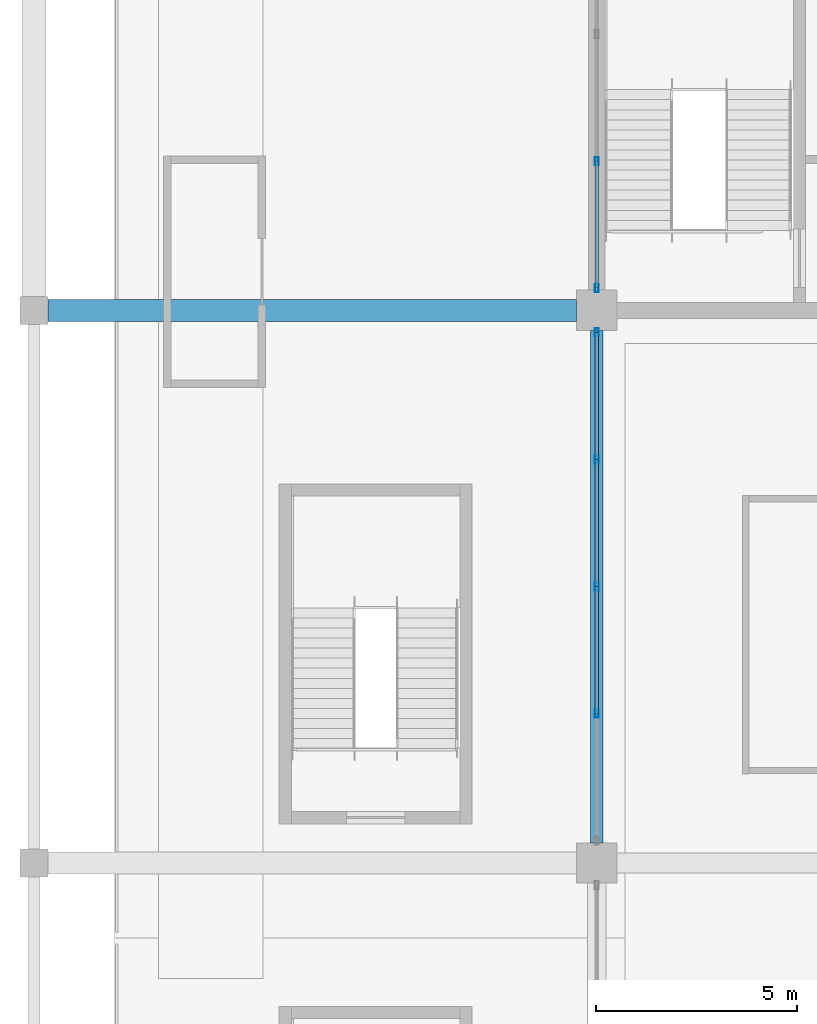
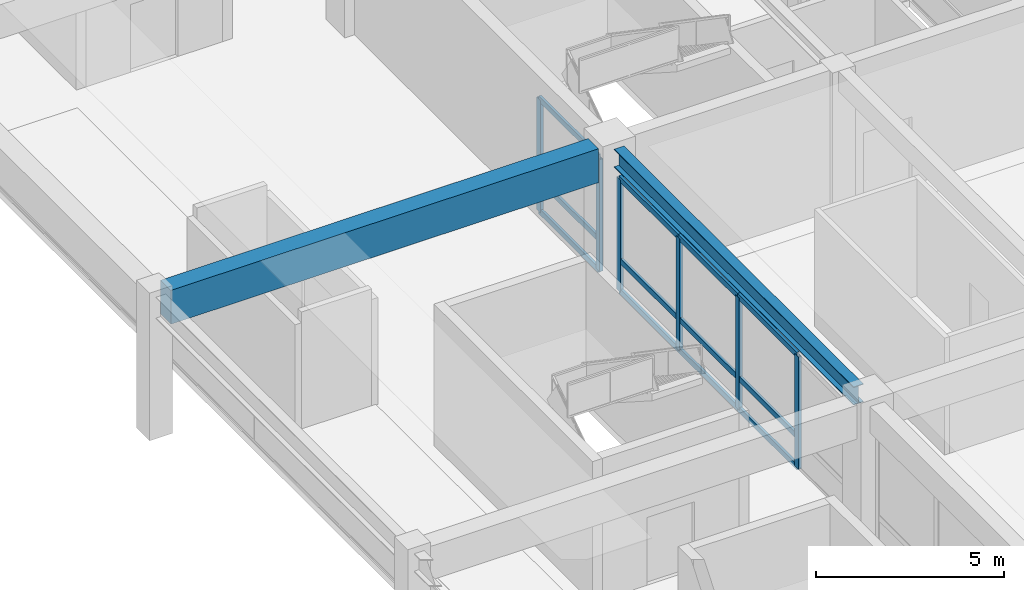
# One storey, part 27 of 94: 18 members, 2 beams, 2 elements without a shape of their own.
"""IFC4 building model written with IfcOpenShell, lengths in metres."""

from ifc_helpers import new_model, si_unit, direction, frame, origin, origin_2d, place, context, subcontext, project, spatial, rectangle, hollow_rectangle, i_section, extrude, material, material_profile, profile_set, type_object, element, aggregate, save


model = new_model("IFC4")

# Units and contexts
model_context = context("Model", 3, precision=1e-05, world=origin(), true_north=direction((0.0, 1.0)))
body_context = subcontext(model_context, "Body", "Model", "MODEL_VIEW")
ifc_project = project(units=[si_unit("LENGTHUNIT", "METRE"), si_unit("AREAUNIT", "SQUARE_METRE"), si_unit("VOLUMEUNIT", "CUBIC_METRE"), si_unit("PLANEANGLEUNIT", "RADIAN"), si_unit("MASSUNIT", "GRAM", prefix="KILO")], contexts=[model_context])

# Site, building, storey
site_placement = place(None, origin())
site = spatial("IfcSite", under=ifc_project, at=site_placement, CompositionType="ELEMENT")
building_placement = place(site_placement, origin())
building = spatial("IfcBuilding", under=site, at=building_placement, Name="Linyun Crest Stadium", CompositionType="ELEMENT")
storey_placement = place(building_placement, frame((0.0, 0.0, 16.199951171875)))
storey = spatial("IfcBuildingStorey", under=building, at=storey_placement, Name="L04", CompositionType="ELEMENT", Elevation=16.199951171875)

# Beam
ifc_material_1 = material(Name="Steel Q355C", Category="steel")
ifc_material_profile_1 = material_profile(ifc_material_1, i_section(OverallWidth=0.300048828125, OverallDepth=0.587890625, WebThickness=0.011962890625, FlangeThickness=0.02001953125, at=origin_2d()), Name="HM 588x300")
ifc_profile_set_1 = profile_set([ifc_material_profile_1], Name="Steel Q355C")
beam_type_1 = type_object("IfcBeamType", Name="B09", PredefinedType="BEAM", material=ifc_profile_set_1)
beam_1_placement = place(storey_placement, frame((-84.0, -11.125, 4.30615234375), z_axis=(0.0, 1.0, 0.0), x_axis=(-1.0, 0.0, 0.0)))
element("IfcBeam", 1, at=beam_1_placement, inside=storey, type_object=beam_type_1, Name="Frame beam B09 L04 329", PredefinedType="BEAM", context=body_context, shape_type="SweptSolid", body=[
    extrude(i_section(OverallWidth=0.300048828125, OverallDepth=0.587890625, WebThickness=0.011962890625, FlangeThickness=0.02001953125, at=origin_2d()), origin(), (0.0, 0.0, 1.0), 12.75),
])

# Curtain wall, members
ifc_material_2 = material(Name="Verdigris steel and low-E curtain wall assembly", Category="steel")
curtain_wall_type = type_object("IfcCurtainWallType", Name="MCW06", PredefinedType="NOTDEFINED", material=ifc_material_2)
curtain_wall_1_placement = place(storey_placement, origin())
curtain_wall_1 = element("IfcCurtainWall", 2, at=curtain_wall_1_placement, inside=storey, type_object=curtain_wall_type, Name="CWR-093", PredefinedType="NOTDEFINED")
ifc_material_3 = material(Name="Verdigris painted steel Q355C mullion", Category="steel")
ifc_material_profile_2 = material_profile(ifc_material_3, hollow_rectangle(XDim=0.10009765625, YDim=0.199951171875, WallThickness=0.008056640625, at=origin_2d()), Name="RHS 200x100x8")
ifc_profile_set_2 = profile_set([ifc_material_profile_2], Name="Verdigris painted steel Q355C mullion")
member_type_1 = type_object("IfcMemberType", Name="ML03", PredefinedType="MULLION", material=ifc_profile_set_2)
member_1_placement = place(storey_placement, frame((-84.0, -7.912109375, 0.0), z_axis=(0.0, 0.0, 1.0), x_axis=(-1.0, 0.0, 0.0)))
member_1 = element("IfcMember", 3, at=member_1_placement, type_object=member_type_1, Name="CWR-093 mullion 2", PredefinedType="MULLION", context=body_context, shape_type="SweptSolid", body=[
    extrude(hollow_rectangle(XDim=0.10009765625, YDim=0.199951171875, WallThickness=0.008056640625, at=origin_2d()), origin(), (0.0, 0.0, 1.0), 3.650146484375),
])
member_2_placement = place(storey_placement, frame((-84.0, -4.75, 0.0), z_axis=(0.0, 0.0, 1.0), x_axis=(-1.0, 0.0, 0.0)))
member_2 = element("IfcMember", 4, at=member_2_placement, type_object=member_type_1, Name="CWR-093 mullion 3", PredefinedType="MULLION", context=body_context, shape_type="SweptSolid", body=[
    extrude(hollow_rectangle(XDim=0.10009765625, YDim=0.199951171875, WallThickness=0.008056640625, at=origin_2d()), origin(), (0.0, 0.0, 1.0), 3.650146484375),
])
member_3_placement = place(storey_placement, frame((-84.0, -1.587890625, 0.0), z_axis=(0.0, 0.0, 1.0), x_axis=(-1.0, 0.0, 0.0)))
member_3 = element("IfcMember", 5, at=member_3_placement, type_object=member_type_1, Name="CWR-093 mullion 4", PredefinedType="MULLION", context=body_context, shape_type="SweptSolid", body=[
    extrude(hollow_rectangle(XDim=0.10009765625, YDim=0.199951171875, WallThickness=0.008056640625, at=origin_2d()), origin(), (0.0, 0.0, 1.0), 3.650146484375),
])
member_4_placement = place(storey_placement, frame((-84.0, 1.574951171875, 0.0), z_axis=(0.0, 0.0, 1.0), x_axis=(-1.0, 0.0, 0.0)))
member_4 = element("IfcMember", 6, at=member_4_placement, type_object=member_type_1, Name="CWR-093 mullion 5", PredefinedType="MULLION", context=body_context, shape_type="SweptSolid", body=[
    extrude(hollow_rectangle(XDim=0.10009765625, YDim=0.199951171875, WallThickness=0.008056640625, at=origin_2d()), origin(), (0.0, 0.0, 1.0), 3.650146484375),
])

curtain_wall_2_placement = place(storey_placement, origin())
curtain_wall_2 = element("IfcCurtainWall", 7, at=curtain_wall_2_placement, inside=storey, type_object=curtain_wall_type, Name="CWR-102", PredefinedType="NOTDEFINED")
member_5_placement = place(storey_placement, frame((-84.0, 2.675048828125, 0.0), z_axis=(0.0, 0.0, 1.0), x_axis=(-1.0, 0.0, 0.0)))
member_5 = element("IfcMember", 8, at=member_5_placement, type_object=member_type_1, Name="CWR-102 mullion 1", PredefinedType="MULLION", context=body_context, shape_type="SweptSolid", body=[
    extrude(hollow_rectangle(XDim=0.10009765625, YDim=0.199951171875, WallThickness=0.008056640625, at=origin_2d()), origin(), (0.0, 0.0, 1.0), 3.650146484375),
])
member_6_placement = place(storey_placement, frame((-84.0, 5.8369140625, 0.0), z_axis=(0.0, 0.0, 1.0), x_axis=(-1.0, 0.0, 0.0)))
member_6 = element("IfcMember", 9, at=member_6_placement, type_object=member_type_1, Name="CWR-102 mullion 2", PredefinedType="MULLION", context=body_context, shape_type="SweptSolid", body=[
    extrude(hollow_rectangle(XDim=0.10009765625, YDim=0.199951171875, WallThickness=0.008056640625, at=origin_2d()), origin(), (0.0, 0.0, 1.0), 3.650146484375),
])

# Beam
ifc_material_4 = material(Name="Concrete C50", Category="concrete")
ifc_material_profile_3 = material_profile(ifc_material_4, rectangle(XDim=0.550048828125, YDim=1.10009765625, at=origin_2d()), Name="RCB 1100x550")
ifc_profile_set_3 = profile_set([ifc_material_profile_3], Name="Concrete C50")
beam_type_2 = type_object("IfcBeamType", Name="TB01", PredefinedType="USERDEFINED", material=ifc_profile_set_3)
beam_2_placement = place(storey_placement, frame((-97.64990234375, 2.125, 4.050048828125), z_axis=(1.0, 0.0, 0.0), x_axis=(0.0, 1.0, 0.0)))
element("IfcBeam", 10, at=beam_2_placement, inside=storey, type_object=beam_type_2, Name="Frame beam TB01 L04 310", ObjectType="GIRDER", PredefinedType="USERDEFINED", context=body_context, shape_type="SweptSolid", body=[
    extrude(rectangle(XDim=0.550048828125, YDim=1.10009765625, at=origin_2d()), origin(), (0.0, 0.0, 1.0), 13.14990234375),
])

# Member
ifc_material_5 = material(Name="Verdigris painted steel Q355B transom", Category="steel")
ifc_material_profile_4 = material_profile(ifc_material_5, hollow_rectangle(XDim=0.080078125, YDim=0.179931640625, WallThickness=0.006103515625, at=origin_2d()), Name="RHS 180x80x6")
ifc_profile_set_4 = profile_set([ifc_material_profile_4], Name="Verdigris painted steel Q355B transom")
member_type_2 = type_object("IfcMemberType", Name="TR02", PredefinedType="USERDEFINED", material=ifc_profile_set_4)
member_7_placement = place(storey_placement, frame((-84.0, -7.912109375, 0.0), z_axis=(0.0, 1.0, 0.0), x_axis=(-1.0, 0.0, 0.0)))
member_7 = element("IfcMember", 11, at=member_7_placement, type_object=member_type_2, Name="CWR-093 transom 2.1", ObjectType="TRANSOM", PredefinedType="USERDEFINED", context=body_context, shape_type="SweptSolid", body=[
    extrude(hollow_rectangle(XDim=0.080078125, YDim=0.179931640625, WallThickness=0.006103515625, at=origin_2d()), origin(), (0.0, 0.0, 1.0), 3.162109375),
])

member_8_placement = place(storey_placement, frame((-84.0, -7.912109375, 1.0), z_axis=(0.0, 1.0, 0.0), x_axis=(-1.0, 0.0, 0.0)))
member_8 = element("IfcMember", 12, at=member_8_placement, type_object=member_type_2, Name="CWR-093 transom 2.2", ObjectType="TRANSOM", PredefinedType="USERDEFINED", context=body_context, shape_type="SweptSolid", body=[
    extrude(hollow_rectangle(XDim=0.080078125, YDim=0.179931640625, WallThickness=0.006103515625, at=origin_2d()), origin(), (0.0, 0.0, 1.0), 3.162109375),
])

member_9_placement = place(storey_placement, frame((-84.0, -7.912109375, 3.650146484375), z_axis=(0.0, 1.0, 0.0), x_axis=(-1.0, 0.0, 0.0)))
member_9 = element("IfcMember", 13, at=member_9_placement, type_object=member_type_2, Name="CWR-093 transom 2.3", ObjectType="TRANSOM", PredefinedType="USERDEFINED", context=body_context, shape_type="SweptSolid", body=[
    extrude(hollow_rectangle(XDim=0.080078125, YDim=0.179931640625, WallThickness=0.006103515625, at=origin_2d()), origin(), (0.0, 0.0, 1.0), 3.162109375),
])

member_10_placement = place(storey_placement, frame((-84.0, -4.75, 0.0), z_axis=(0.0, 1.0, 0.0), x_axis=(-1.0, 0.0, 0.0)))
member_10 = element("IfcMember", 14, at=member_10_placement, type_object=member_type_2, Name="CWR-093 transom 3.1", ObjectType="TRANSOM", PredefinedType="USERDEFINED", context=body_context, shape_type="SweptSolid", body=[
    extrude(hollow_rectangle(XDim=0.080078125, YDim=0.179931640625, WallThickness=0.006103515625, at=origin_2d()), origin(), (0.0, 0.0, 1.0), 3.162109375),
])

member_11_placement = place(storey_placement, frame((-84.0, -4.75, 1.0), z_axis=(0.0, 1.0, 0.0), x_axis=(-1.0, 0.0, 0.0)))
member_11 = element("IfcMember", 15, at=member_11_placement, type_object=member_type_2, Name="CWR-093 transom 3.2", ObjectType="TRANSOM", PredefinedType="USERDEFINED", context=body_context, shape_type="SweptSolid", body=[
    extrude(hollow_rectangle(XDim=0.080078125, YDim=0.179931640625, WallThickness=0.006103515625, at=origin_2d()), origin(), (0.0, 0.0, 1.0), 3.162109375),
])

member_12_placement = place(storey_placement, frame((-84.0, -4.75, 3.650146484375), z_axis=(0.0, 1.0, 0.0), x_axis=(-1.0, 0.0, 0.0)))
member_12 = element("IfcMember", 16, at=member_12_placement, type_object=member_type_2, Name="CWR-093 transom 3.3", ObjectType="TRANSOM", PredefinedType="USERDEFINED", context=body_context, shape_type="SweptSolid", body=[
    extrude(hollow_rectangle(XDim=0.080078125, YDim=0.179931640625, WallThickness=0.006103515625, at=origin_2d()), origin(), (0.0, 0.0, 1.0), 3.162109375),
])

member_13_placement = place(storey_placement, frame((-84.0, -1.587890625, 0.0), z_axis=(0.0, 1.0, 0.0), x_axis=(-1.0, 0.0, 0.0)))
member_13 = element("IfcMember", 17, at=member_13_placement, type_object=member_type_2, Name="CWR-093 transom 4.1", ObjectType="TRANSOM", PredefinedType="USERDEFINED", context=body_context, shape_type="SweptSolid", body=[
    extrude(hollow_rectangle(XDim=0.080078125, YDim=0.179931640625, WallThickness=0.006103515625, at=origin_2d()), origin(), (0.0, 0.0, 1.0), 3.162841796875),
])

member_14_placement = place(storey_placement, frame((-84.0, -1.587890625, 1.0), z_axis=(0.0, 1.0, 0.0), x_axis=(-1.0, 0.0, 0.0)))
member_14 = element("IfcMember", 18, at=member_14_placement, type_object=member_type_2, Name="CWR-093 transom 4.2", ObjectType="TRANSOM", PredefinedType="USERDEFINED", context=body_context, shape_type="SweptSolid", body=[
    extrude(hollow_rectangle(XDim=0.080078125, YDim=0.179931640625, WallThickness=0.006103515625, at=origin_2d()), origin(), (0.0, 0.0, 1.0), 3.162841796875),
])

member_15_placement = place(storey_placement, frame((-84.0, -1.587890625, 3.650146484375), z_axis=(0.0, 1.0, 0.0), x_axis=(-1.0, 0.0, 0.0)))
member_15 = element("IfcMember", 19, at=member_15_placement, type_object=member_type_2, Name="CWR-093 transom 4.3", ObjectType="TRANSOM", PredefinedType="USERDEFINED", context=body_context, shape_type="SweptSolid", body=[
    extrude(hollow_rectangle(XDim=0.080078125, YDim=0.179931640625, WallThickness=0.006103515625, at=origin_2d()), origin(), (0.0, 0.0, 1.0), 3.162841796875),
])

aggregate(curtain_wall_1, [member_1, member_2, member_3, member_4, member_7, member_8, member_9, member_10, member_11, member_12, member_13, member_14, member_15])

member_16_placement = place(storey_placement, frame((-84.0, 2.675048828125, 0.0), z_axis=(0.0, 1.0, 0.0), x_axis=(-1.0, 0.0, 0.0)))
member_16 = element("IfcMember", 20, at=member_16_placement, type_object=member_type_2, Name="CWR-102 transom 1.1", ObjectType="TRANSOM", PredefinedType="USERDEFINED", context=body_context, shape_type="SweptSolid", body=[
    extrude(hollow_rectangle(XDim=0.080078125, YDim=0.179931640625, WallThickness=0.006103515625, at=origin_2d()), origin(), (0.0, 0.0, 1.0), 3.161865234375),
])

member_17_placement = place(storey_placement, frame((-84.0, 2.675048828125, 1.0), z_axis=(0.0, 1.0, 0.0), x_axis=(-1.0, 0.0, 0.0)))
member_17 = element("IfcMember", 21, at=member_17_placement, type_object=member_type_2, Name="CWR-102 transom 1.2", ObjectType="TRANSOM", PredefinedType="USERDEFINED", context=body_context, shape_type="SweptSolid", body=[
    extrude(hollow_rectangle(XDim=0.080078125, YDim=0.179931640625, WallThickness=0.006103515625, at=origin_2d()), origin(), (0.0, 0.0, 1.0), 3.161865234375),
])

member_18_placement = place(storey_placement, frame((-84.0, 2.675048828125, 3.650146484375), z_axis=(0.0, 1.0, 0.0), x_axis=(-1.0, 0.0, 0.0)))
member_18 = element("IfcMember", 22, at=member_18_placement, type_object=member_type_2, Name="CWR-102 transom 1.3", ObjectType="TRANSOM", PredefinedType="USERDEFINED", context=body_context, shape_type="SweptSolid", body=[
    extrude(hollow_rectangle(XDim=0.080078125, YDim=0.179931640625, WallThickness=0.006103515625, at=origin_2d()), origin(), (0.0, 0.0, 1.0), 3.161865234375),
])

aggregate(curtain_wall_2, [member_5, member_6, member_16, member_17, member_18])

save(model, "model.ifc")
